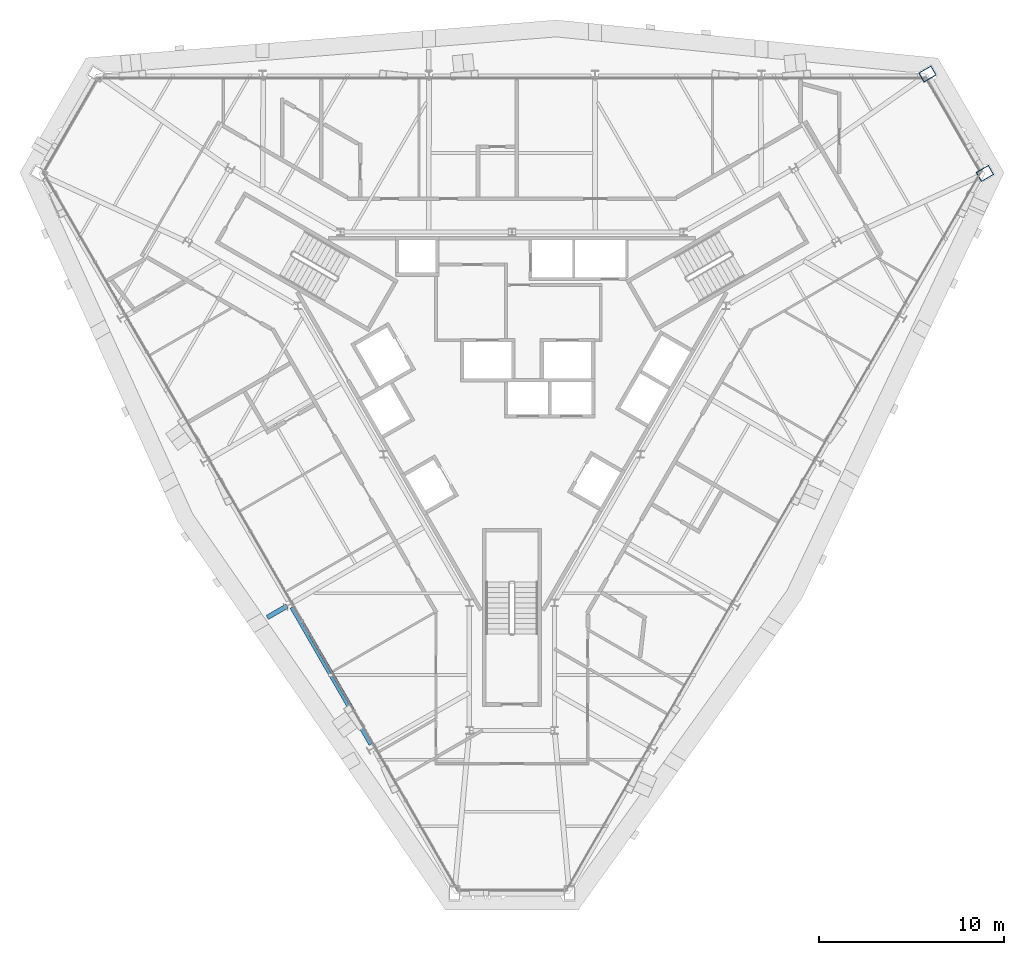
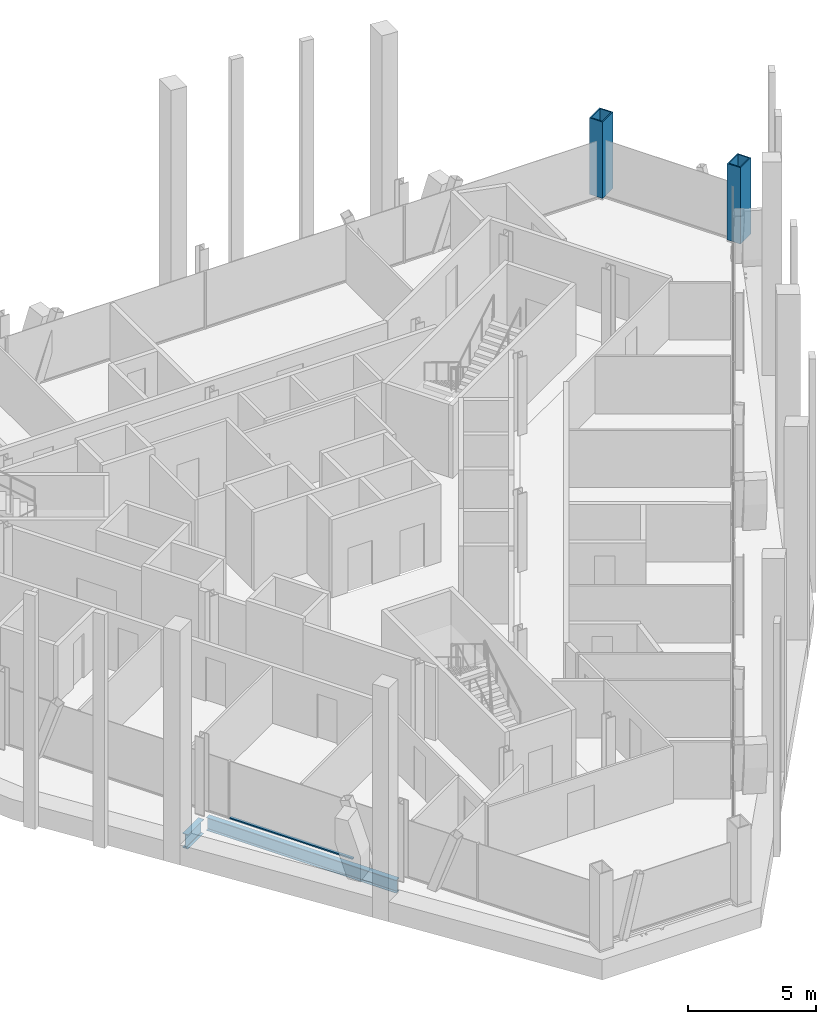
# One storey, part 2 of 16: 2 beams, 2 columns, 1 member, 1 element without a shape of its own.
"""IFC4 building model written with IfcOpenShell, lengths in metres."""

from ifc_helpers import new_model, si_unit, direction, frame, origin, origin_2d, place, context, subcontext, project, spatial, rectangle, hollow_rectangle, i_section, extrude, material, material_profile, profile_set, type_object, element, aggregate, save


model = new_model("IFC4")

# Units and contexts
model_context = context("Model", 3, precision=1e-05, world=origin(), true_north=direction((0.0, 1.0)))
body_context = subcontext(model_context, "Body", "Model", "MODEL_VIEW")
ifc_project = project(units=[si_unit("LENGTHUNIT", "METRE"), si_unit("AREAUNIT", "SQUARE_METRE"), si_unit("VOLUMEUNIT", "CUBIC_METRE"), si_unit("PLANEANGLEUNIT", "RADIAN"), si_unit("MASSUNIT", "GRAM", prefix="KILO")], contexts=[model_context])

# Site, building, storey
site_placement = place(None, origin())
site = spatial("IfcSite", under=ifc_project, at=site_placement, CompositionType="ELEMENT")
building_placement = place(site_placement, origin())
building = spatial("IfcBuilding", under=site, at=building_placement, Name="Verrane Prism Tower", CompositionType="ELEMENT")
storey_placement = place(building_placement, frame((0.0, 0.0, 236.0)))
storey = spatial("IfcBuildingStorey", under=building, at=storey_placement, Name="L59", CompositionType="ELEMENT", Elevation=236.0)

# Columns
ifc_material_1 = material(Name="Steel A572 Grade 50", Category="steel")
ifc_material_profile_1 = material_profile(ifc_material_1, hollow_rectangle(XDim=0.60009765625, YDim=0.800048828125, WallThickness=0.050048828125, at=origin_2d()), Name="BOX 800x600x50")
ifc_profile_set_1 = profile_set([ifc_material_profile_1], Name="Steel A572 Grade 50")
column_type = type_object("IfcColumnType", Name="Megacolumn BOX 800x600x50", PredefinedType="COLUMN", material=ifc_profile_set_1)
for number, where, z_axis, x_axis, name in (
    (1, (22.429931640625, 16.530029296875, 0.06494140625), (0.0, 0.0, 1.0), (0.5, -0.866025403784, 0.0), "Megacolumn MC-NE.b L59"),
    (2, (25.530029296875, 11.159912109375, 0.06494140625), (0.0, 0.0, 1.0), (0.5, -0.866025403784, 0.0), "Megacolumn MC-NE.a L59"),
):
    element("IfcColumn", number, at=place(storey_placement, frame(where, z_axis=z_axis, x_axis=x_axis)), inside=storey, type_object=column_type, Name=name, PredefinedType="COLUMN", context=body_context, shape_type="SweptSolid", body=[
        extrude(hollow_rectangle(XDim=0.60009765625, YDim=0.800048828125, WallThickness=0.050048828125, at=origin_2d()), origin(), (0.0, 0.0, 1.0), 3.635009765625),
    ])

# Beams
ifc_material_2 = material(Name="Steel A992", Category="steel")
ifc_material_profile_2 = material_profile(ifc_material_2, i_section(OverallWidth=0.25390625, OverallDepth=0.683349609375, WebThickness=0.012451171875, FlangeThickness=0.01904296875, FilletRadius=0.01513671875, at=origin_2d()), Name="W27x94")
ifc_profile_set_2 = profile_set([ifc_material_profile_2], Name="Steel A992")
beam_type_1 = type_object("IfcBeamType", Name="Radial girder W27x94", PredefinedType="BEAM", material=ifc_profile_set_2)
beam_1_placement = place(storey_placement, frame((-12.134521484375, -12.187255859375, -0.5615234375), z_axis=(-0.866001699761, -0.500041054325, 0.0), x_axis=(0.500041054325, -0.866001699761, 0.0)))
element("IfcBeam", 3, at=beam_1_placement, inside=storey, type_object=beam_type_1, Name="Cantilever girder L59", PredefinedType="BEAM", context=body_context, shape_type="SweptSolid", body=[
    extrude(i_section(OverallWidth=0.25390625, OverallDepth=0.683349609375, WebThickness=0.012451171875, FlangeThickness=0.01904296875, FilletRadius=0.01513671875, at=origin_2d()), origin(), (0.0, 0.0, 1.0), 1.23828125),
])
ifc_material_3 = material(Name="Steel A992", Category="steel")
ifc_material_profile_3 = material_profile(ifc_material_3, i_section(OverallWidth=0.23046875, OverallDepth=0.6171875, WebThickness=0.01318359375, FlangeThickness=0.022216796875, FilletRadius=0.012939453125, at=origin_2d()), Name="W24x94")
ifc_profile_set_3 = profile_set([ifc_material_profile_3], Name="Steel A992")
beam_type_2 = type_object("IfcBeamType", Name="Spandrel beam W24x94", PredefinedType="SPANDREL", material=ifc_profile_set_3)
beam_2_placement = place(storey_placement, frame((-11.878173828125, -12.25341796875, -0.468505859375), z_axis=(0.499645772183, -0.86622982074, 0.0), x_axis=(0.86622982074, 0.499645772183, 0.0)))
element("IfcBeam", 4, at=beam_2_placement, inside=storey, type_object=beam_type_2, Name="Spandrel beam L59", PredefinedType="SPANDREL", context=body_context, shape_type="SweptSolid", body=[
    extrude(i_section(OverallWidth=0.23046875, OverallDepth=0.6171875, WebThickness=0.01318359375, FlangeThickness=0.022216796875, FilletRadius=0.012939453125, at=origin_2d()), origin(), (0.0, 0.0, 1.0), 8.544677734375),
])

# Curtain wall, member
ifc_material_4 = material(Name="Aluminium framed insulated glazing", Category="aluminium")
curtain_wall_type = type_object("IfcCurtainWallType", Name="Curtain wall CW-B 5600 module", PredefinedType="NOTDEFINED", material=ifc_material_4)
curtain_wall_placement = place(storey_placement, origin())
curtain_wall = element("IfcCurtainWall", 5, at=curtain_wall_placement, inside=storey, type_object=curtain_wall_type, Name="Glazed curtain wall south-west face L59", PredefinedType="NOTDEFINED")
ifc_material_5 = material(Name="Aluminium alloy 6063-T6", Category="aluminium")
ifc_material_profile_4 = material_profile(ifc_material_5, rectangle(XDim=0.1201171875, YDim=0.06005859375, at=origin_2d()), Name="Transom 60x120 aluminium")
ifc_profile_set_4 = profile_set([ifc_material_profile_4], Name="Aluminium alloy 6063-T6")
member_type = type_object("IfcMemberType", Name="Transom 60x120 aluminium", PredefinedType="USERDEFINED", material=ifc_profile_set_4)
member_placement = place(storey_placement, frame((-11.307861328125, -13.017822265625, 0.030029296875), z_axis=(0.50002308228, -0.866012076814, 0.0), x_axis=(0.866012076814, 0.50002308228, 0.0)))
member = element("IfcMember", 6, at=member_placement, type_object=member_type, Name="CW59.4 transom 6", ObjectType="TRANSOM", PredefinedType="USERDEFINED", context=body_context, shape_type="SweptSolid", body=[
    extrude(rectangle(XDim=0.1201171875, YDim=0.06005859375, at=origin_2d()), origin(), (0.0, 0.0, 1.0), 5.530029296875),
])
aggregate(curtain_wall, [member])

save(model, "model.ifc")
